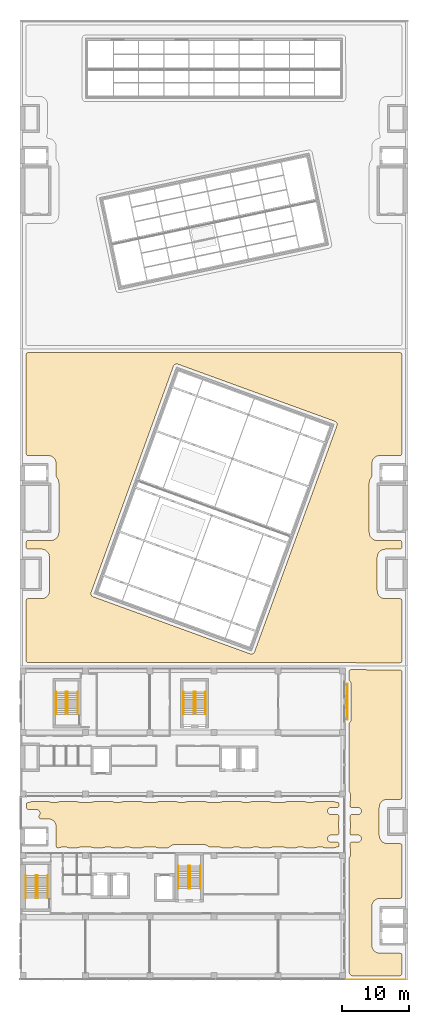
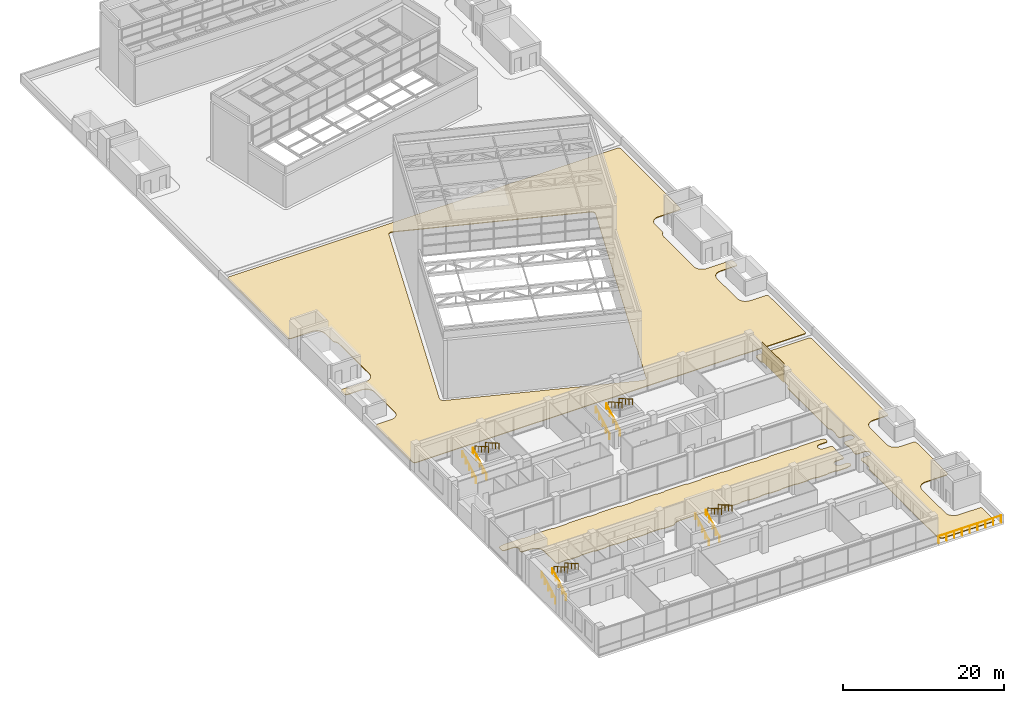
# One storey, part 66 of 72: 17 railings, 3 coverings, 1 shading device.
"""IFC4 building model written with IfcOpenShell, lengths in metres."""

import ifcopenshell
import ifcopenshell.guid

model = None  # the IFC model being written
_history = None  # IfcOwnerHistory: only IFC2X3 demands one
_inside = {}  # id of a spatial element -> (the spatial element, [elements in it])
_under = {}  # id of a project, library or spatial element -> (it, [spatial elements below it])
_declared = {}  # id of a project -> (the project, [libraries it declares])
_typed = {}  # id of a type object -> (the type object, [elements of that type])
_made_of = {}  # id of a material, layer set ... -> (it, [elements and type objects made of it])


def new_model(schema):
    """Start an empty IFC model of exactly this schema.

    Asked for "IFC4X3", IfcOpenShell would pick the latest addendum, in which some entities
    have other attributes; the version numbers below select the first issue.
    IFC2X3 requires an IfcOwnerHistory on every rooted entity: one is made here for all.
    """
    global model, _history
    if schema == "IFC4X3":
        model = ifcopenshell.file(schema_version=(4, 3, 0, 0))
    else:
        model = ifcopenshell.file(schema=schema)
    _inside.clear()
    _under.clear()
    _declared.clear()
    _typed.clear()
    _made_of.clear()
    _history = None
    if model.schema == "IFC2X3":
        org = make("IfcOrganization", Name="unknown")
        user = make(
            "IfcPersonAndOrganization",
            ThePerson=make("IfcPerson", FamilyName="unknown"),
            TheOrganization=org,
        )
        app = make(
            "IfcApplication",
            ApplicationDeveloper=org,
            Version="unknown",
            ApplicationFullName="unknown",
            ApplicationIdentifier="unknown",
        )
        _history = make(
            "IfcOwnerHistory",
            OwningUser=user,
            OwningApplication=app,
            ChangeAction="ADDED",
            CreationDate=0,
        )
    return model


def make(cls, **values):
    """One entity of the class cls with the attributes given. An attribute that is None is left unset."""
    return model.create_entity(
        cls, **{name: value for name, value in values.items() if value is not None}
    )


def rooted(cls, **values):
    """An entity with a GlobalId (a new one), such as an element, a storey or a relation."""
    return make(cls, GlobalId=ifcopenshell.guid.new(), OwnerHistory=_history, **values)


def si_unit(unit_type, name, prefix=None):
    """IfcSIUnit, for example si_unit("LENGTHUNIT", "METRE", prefix="MILLI")."""
    return make("IfcSIUnit", UnitType=unit_type, Prefix=prefix, Name=name)


def assignment(units):
    """IfcUnitAssignment: the units of a project."""
    return None if units is None else make("IfcUnitAssignment", Units=units)


def point(xyz):
    """IfcCartesianPoint."""
    return None if xyz is None else make("IfcCartesianPoint", Coordinates=xyz)


def direction(xyz):
    """IfcDirection."""
    return None if xyz is None else make("IfcDirection", DirectionRatios=xyz)


def frame(location, z_axis=None, x_axis=None):
    """IfcAxis2Placement3D, a coordinate frame: its origin and axes. An axis left out is left unset."""
    return make(
        "IfcAxis2Placement3D",
        Location=point(location),
        Axis=direction(z_axis),
        RefDirection=direction(x_axis),
    )


def frame_2d(location, x_axis=None):
    """IfcAxis2Placement2D, a coordinate frame in the plane: its origin and x axis."""
    return make(
        "IfcAxis2Placement2D", Location=point(location), RefDirection=direction(x_axis)
    )


def origin():
    """The frame at (0, 0, 0) with its axes left unset."""
    return frame((0.0, 0.0, 0.0))


def origin_2d():
    """The frame at (0, 0) in the plane with its x axis left unset."""
    return frame_2d((0.0, 0.0))


def place(relative_to, where):
    """IfcLocalPlacement: puts the frame where relative to a parent placement (None: the world)."""
    return make(
        "IfcLocalPlacement", PlacementRelTo=relative_to, RelativePlacement=where
    )


def context(
    kind, dimensions, precision=None, world=None, true_north=None, identifier=None
):
    """IfcGeometricRepresentationContext, for example the 3D "Model" context."""
    return make(
        "IfcGeometricRepresentationContext",
        ContextIdentifier=identifier,
        ContextType=kind,
        CoordinateSpaceDimension=dimensions,
        Precision=precision,
        WorldCoordinateSystem=world,
        TrueNorth=true_north,
    )


def subcontext(parent, identifier, kind, view, scale=None):
    """IfcGeometricRepresentationSubContext, for example "Body" below "Model"."""
    return make(
        "IfcGeometricRepresentationSubContext",
        ContextIdentifier=identifier,
        ContextType=kind,
        ParentContext=parent,
        TargetScale=scale,
        TargetView=view,
    )


def project(units=None, contexts=None):
    """IfcProject with its units and contexts."""
    return rooted(
        "IfcProject",
        Name="project",
        RepresentationContexts=contexts,
        UnitsInContext=assignment(units),
    )


def spatial(cls, under=None, at=None, **own):
    """A site, building, storey or space (cls), placed at a placement, below another one or the project."""
    s = rooted(cls, ObjectPlacement=at, **own)
    if under is not None:
        _under.setdefault(under.id(), (under, []))[1].append(s)
    return s


def polyline(points):
    """IfcPolyline through the points."""
    return make("IfcPolyline", Points=[point(p) for p in points])


def profile(cls, at=None, kind="AREA", **sizes):
    """A parametric profile (cls). Its sizes go by their IFC names, for example OverallWidth=200.0."""
    return make(cls, ProfileType=kind, Position=at, **sizes)


def rectangle(**sizes):
    """IfcRectangleProfileDef."""
    return profile("IfcRectangleProfileDef", **sizes)


def circle(**sizes):
    """IfcCircleProfileDef."""
    return profile("IfcCircleProfileDef", **sizes)


def outline(outer, holes=None, kind="AREA"):
    """IfcArbitraryClosedProfileDef: a profile drawn as a closed curve; with holes, ...WithVoids."""
    if holes is None:
        return make("IfcArbitraryClosedProfileDef", ProfileType=kind, OuterCurve=outer)
    return make(
        "IfcArbitraryProfileDefWithVoids",
        ProfileType=kind,
        OuterCurve=outer,
        InnerCurves=holes,
    )


def extrude(swept, where, along, depth):
    """IfcExtrudedAreaSolid: the profile swept, set in the frame where, extruded along a direction by depth."""
    return make(
        "IfcExtrudedAreaSolid",
        SweptArea=swept,
        Position=where,
        ExtrudedDirection=direction(along),
        Depth=depth,
    )


def shape(context_of_items, identifier, shape_type, items):
    """IfcShapeRepresentation: the items that make up one representation, for example the "Body"."""
    return make(
        "IfcShapeRepresentation",
        ContextOfItems=context_of_items,
        RepresentationIdentifier=identifier,
        RepresentationType=shape_type,
        Items=items,
    )


def material(Name=None, Category=None):
    """IfcMaterial."""
    return make("IfcMaterial", Name=Name, Category=Category)


def layer(
    of_material, thickness, ventilated=None, Name=None, Category=None, Priority=None
):
    """IfcMaterialLayer: one layer of a wall or slab, of a material (None: an air gap)."""
    return make(
        "IfcMaterialLayer",
        Material=of_material,
        LayerThickness=thickness,
        IsVentilated=ventilated,
        Name=Name,
        Category=Category,
        Priority=Priority,
    )


def layer_set(layers, Name=None):
    """IfcMaterialLayerSet."""
    return make("IfcMaterialLayerSet", MaterialLayers=layers, LayerSetName=Name)


def made_of(thing, what):
    """Note that an element or type object is made of a material, layer set ...; save() writes the relation."""
    if what is not None:
        _made_of.setdefault(what.id(), (what, []))[1].append(thing)
    return thing


def type_object(cls, material=None, **own):
    """A type object (cls), such as IfcWallType, which elements share."""
    return made_of(rooted(cls, **own), material)


def element(
    cls,
    number,
    at=None,
    inside=None,
    cuts=None,
    type_object=None,
    material=None,
    context=None,
    identifier="Body",
    shape_type=None,
    held_by="IfcProductDefinitionShape",
    body=None,
    shapes=None,
    **own,
):
    """One element of the class cls, such as IfcWall. Its Tag is "e" and its number.

    at: its placement. inside: the storey or other place that contains it. cuts: it is an
    opening in that element (IfcRelVoidsElement). A single representation is given by context,
    identifier, shape_type and body (its items); several are given by shapes. held_by: the class
    of the entity that holds the representations. save() writes the other relations.
    """
    e = rooted(cls, Tag="e%d" % number, ObjectPlacement=at, **own)
    if body is not None:
        shapes = [shape(context, identifier, shape_type, body)]
    if shapes is not None:
        e.Representation = make(held_by, Representations=shapes)
    if inside is not None:
        _inside.setdefault(inside.id(), (inside, []))[1].append(e)
    if cuts is not None:
        rooted(
            "IfcRelVoidsElement", RelatingBuildingElement=cuts, RelatedOpeningElement=e
        )
    if type_object is not None:
        _typed.setdefault(type_object.id(), (type_object, []))[1].append(e)
    return made_of(e, material)


def aggregate(whole, parts):
    """IfcRelAggregates: a whole, such as a stair, and the parts it consists of."""
    return rooted("IfcRelAggregates", RelatingObject=whole, RelatedObjects=parts)


def save(model, path):
    """Write the relations noted so far, then the file.

    IfcRelAggregates (storeys below a building ...), IfcRelContainedInSpatialStructure (elements
    in a storey), IfcRelDefinesByType, IfcRelAssociatesMaterial and IfcRelDeclares: one each for
    every whole, place, type object, material and project.
    """
    for whole, parts in _under.values():
        aggregate(whole, parts)
    for where, things in _inside.values():
        rooted(
            "IfcRelContainedInSpatialStructure",
            RelatedElements=things,
            RelatingStructure=where,
        )
    for kind, things in _typed.values():
        rooted("IfcRelDefinesByType", RelatedObjects=things, RelatingType=kind)
    for what, things in _made_of.values():
        rooted("IfcRelAssociatesMaterial", RelatedObjects=things, RelatingMaterial=what)
    for by, libraries in _declared.values():
        rooted("IfcRelDeclares", RelatingContext=by, RelatedDefinitions=libraries)
    model.write(path)


model = new_model("IFC4")

# Units and contexts
model_context = context("Model", 3, precision=1e-05, world=origin(), true_north=direction((0.0, 1.0)))
body_context = subcontext(model_context, "Body", "Model", "MODEL_VIEW")
ifc_project = project(units=[si_unit("LENGTHUNIT", "METRE"), si_unit("AREAUNIT", "SQUARE_METRE"), si_unit("VOLUMEUNIT", "CUBIC_METRE"), si_unit("PLANEANGLEUNIT", "RADIAN"), si_unit("MASSUNIT", "GRAM", prefix="KILO")], contexts=[model_context])

# Site, building, storey
site_placement = place(None, origin())
site = spatial("IfcSite", under=ifc_project, at=site_placement, CompositionType="ELEMENT")
building_placement = place(site_placement, origin())
building = spatial("IfcBuilding", under=site, at=building_placement, Name="Nzadi Deep Aquarium and Research Tower", CompositionType="ELEMENT")
storey_placement = place(building_placement, frame((0.0, 0.0, 31.89990234375)))
storey = spatial("IfcBuildingStorey", under=building, at=storey_placement, Name="L05", CompositionType="ELEMENT", Elevation=31.89990234375)

# Coverings
ifc_material_1 = material(Name="Extensive green roof substrate and sedum")
ifc_layer = layer(ifc_material_1, 0.10009765625)
ifc_layer_set = layer_set([ifc_layer], Name="Extensive green roof substrate and sedum")
covering_type = type_object("IfcCoveringType", Name="Extensive green roof 100 mm", PredefinedType="ROOFING", material=ifc_layer_set)
covering_1_placement = place(storey_placement, origin())
element("IfcCovering", 1, at=covering_1_placement, inside=storey, type_object=covering_type, Name="Extensive green roof", PredefinedType="ROOFING", context=body_context, shape_type="SweptSolid", body=[
    extrude(outline(polyline([(48.9755859375, 18.021240234375), (49.14404296875, 18.2509765625), (49.197998046875, 18.438232421875), (49.197998046875, 19.32177734375), (49.10009765625, 19.666748046875), (49.101318359375, 20.1474609375), (49.150634765625, 20.28466796875), (49.258544921875, 20.382568359375), (49.37060546875, 20.41650390625), (50.333740234375, 20.418212890625), (50.514404296875, 20.45361328125), (50.641357421875, 20.527099609375), (50.7412109375, 20.63427734375), (50.805908203125, 20.765869140625), (50.830078125, 20.921630859375), (50.810302734375, 21.10009765625), (50.74951171875, 21.2333984375), (50.641357421875, 21.352783203125), (50.514404296875, 21.426513671875), (50.333740234375, 21.4619140625), (49.37060546875, 21.46337890625), (49.2333984375, 21.5126953125), (49.135498046875, 21.62060546875), (49.101318359375, 21.732666015625), (49.10009765625, 22.21337890625), (49.197998046875, 22.558349609375), (49.199951171875, 23.396240234375), (49.101318359375, 23.75732421875), (49.11279296875, 24.3251953125), (49.18798828125, 24.4501953125), (49.341552734375, 24.5322265625), (50.333740234375, 24.5380859375), (50.528076171875, 24.5791015625), (50.652587890625, 24.656494140625), (50.74951171875, 24.7666015625), (50.810302734375, 24.89990234375), (50.830078125, 25.078369140625), (50.810302734375, 25.219970703125), (50.74951171875, 25.353515625), (50.652587890625, 25.463623046875), (50.528076171875, 25.540771484375), (50.333740234375, 25.581787109375), (49.341552734375, 25.587890625), (49.168212890625, 25.691650390625), (49.101318359375, 25.8525390625), (49.101318359375, 26.36279296875), (49.197998046875, 26.67822265625), (49.197998046875, 27.561767578125), (49.15869140625, 27.718017578125), (48.989990234375, 27.950927734375), (48.949951171875, 28.100341796875), (48.949951171875, 38.0458984375), (48.995849609375, 38.205078125), (49.227294921875, 38.4580078125), (49.2880859375, 38.658203125), (49.2900390625, 44.09619140625), (49.227294921875, 44.342041015625), (49.01171875, 44.572021484375), (48.955078125, 44.698486328125), (48.962890625, 45.967041015625), (49.059814453125, 46.11181640625), (49.25, 46.179931640625), (56.68701171875, 46.1669921875), (56.831787109375, 46.0703125), (56.89990234375, 45.8798828125), (56.898681640625, 27.070556640625), (56.81201171875, 26.887939453125), (56.62939453125, 26.801513671875), (54.70361328125, 26.800048828125), (54.35888671875, 26.75), (54.14111328125, 26.66162109375), (53.944580078125, 26.531982421875), (53.698486328125, 26.260498046875), (53.5498046875, 25.941162109375), (53.500244140625, 25.603759765625), (53.5, 21.40380859375), (53.55419921875, 21.044677734375), (53.70654296875, 20.727294921875), (53.944580078125, 20.468017578125), (54.247802734375, 20.288818359375), (54.47314453125, 20.221923828125), (54.6962890625, 20.2001953125), (56.62939453125, 20.198486328125), (56.790283203125, 20.1318359375), (56.877197265625, 20.014892578125), (56.89990234375, 19.89990234375), (56.898681640625, 12.2705078125), (56.81201171875, 12.087890625), (56.62939453125, 12.00146484375), (53.603759765625, 12.0), (53.373291015625, 11.97802734375), (53.134033203125, 11.905517578125), (52.927490234375, 11.79345703125), (52.74658203125, 11.64306640625), (52.598388671875, 11.46044921875), (52.449951171875, 11.14111328125), (52.400146484375, 10.8037109375), (52.39990234375, 5.003662109375), (52.4541015625, 4.644775390625), (52.54541015625, 4.427978515625), (52.66796875, 4.24462890625), (52.927490234375, 4.006591796875), (53.2587890625, 3.849853515625), (53.603759765625, 3.800048828125), (56.60009765625, 3.800048828125), (56.71484375, 3.777099609375), (56.81201171875, 3.712158203125), (56.877197265625, 3.61474609375), (56.89990234375, 3.5), (56.89990234375, 0.72998046875), (56.849365234375, 0.563232421875), (56.71484375, 0.452880859375), (56.60009765625, 0.429931640625), (49.464599609375, 0.431396484375), (49.303466796875, 0.49853515625), (48.970703125, 0.864501953125), (48.949951171875, 0.974365234375), (48.949951171875, 17.899658203125), (48.9755859375, 18.021240234375)])), origin(), (0.0, 0.0, 1.0), 0.10009765625),
])
covering_2_placement = place(storey_placement, origin())
element("IfcCovering", 2, at=covering_2_placement, inside=storey, type_object=covering_type, Name="Extensive green roof", PredefinedType="ROOFING", context=body_context, shape_type="SweptSolid", body=[
    extrude(outline(polyline([(1.22021484375, 26.37109375), (1.5166015625, 26.46240234375), (4.13818359375, 26.46240234375), (4.4833984375, 26.364501953125), (5.3212890625, 26.362548828125), (5.711669921875, 26.46240234375), (8.333251953125, 26.46240234375), (8.71630859375, 26.36279296875), (10.476318359375, 26.362548828125), (10.86669921875, 26.46240234375), (13.61328125, 26.46240234375), (13.958251953125, 26.364501953125), (14.79638671875, 26.362548828125), (15.186767578125, 26.46240234375), (17.933349609375, 26.46240234375), (18.31640625, 26.36279296875), (20.076416015625, 26.362548828125), (20.466796875, 26.46240234375), (23.21337890625, 26.46240234375), (23.558349609375, 26.364501953125), (24.396240234375, 26.362548828125), (24.78662109375, 26.46240234375), (27.533203125, 26.46240234375), (27.916259765625, 26.36279296875), (29.67626953125, 26.362548828125), (30.066650390625, 26.46240234375), (32.813232421875, 26.46240234375), (33.158203125, 26.364501953125), (33.996337890625, 26.362548828125), (34.38671875, 26.46240234375), (37.13330078125, 26.46240234375), (37.516357421875, 26.36279296875), (39.2763671875, 26.362548828125), (39.666748046875, 26.46240234375), (42.413330078125, 26.46240234375), (42.75830078125, 26.364501953125), (43.59619140625, 26.362548828125), (43.98681640625, 26.46240234375), (46.7626953125, 26.461181640625), (47.015380859375, 26.373779296875), (47.287109375, 26.349609375), (47.412109375, 26.274658203125), (47.49853515625, 26.091796875), (47.49853515625, 25.8525390625), (47.449462890625, 25.71533203125), (47.34130859375, 25.617431640625), (47.2294921875, 25.58349609375), (46.266357421875, 25.581787109375), (46.072021484375, 25.540771484375), (45.921875, 25.4404296875), (45.825927734375, 25.31103515625), (45.7734375, 25.13818359375), (45.778564453125, 24.94775390625), (45.888427734375, 24.71533203125), (46.117919921875, 24.56201171875), (46.273681640625, 24.5380859375), (47.2294921875, 24.53662109375), (47.36669921875, 24.4873046875), (47.464599609375, 24.37939453125), (47.49853515625, 24.267333984375), (47.5, 23.78662109375), (47.402099609375, 23.441650390625), (47.39990234375, 22.603759765625), (47.49853515625, 22.24267578125), (47.494140625, 21.70361328125), (47.412109375, 21.5498046875), (47.258544921875, 21.4677734375), (46.228271484375, 21.4599609375), (46.041015625, 21.406005859375), (45.921875, 21.320556640625), (45.825927734375, 21.19091796875), (45.778564453125, 21.05224609375), (45.7734375, 20.86181640625), (45.879150390625, 20.606689453125), (45.986328125, 20.506591796875), (46.117919921875, 20.44189453125), (46.273681640625, 20.41796875), (47.199951171875, 20.41796875), (47.34130859375, 20.382568359375), (47.431884765625, 20.308349609375), (47.487060546875, 20.205078125), (47.49853515625, 19.920654296875), (47.449462890625, 19.783203125), (47.34130859375, 19.685302734375), (47.015380859375, 19.638671875), (46.7333984375, 19.550048828125), (45.4072265625, 19.551513671875), (45.04638671875, 19.64990234375), (44.208251953125, 19.64794921875), (43.86328125, 19.550048828125), (42.50732421875, 19.551513671875), (42.146240234375, 19.64990234375), (41.308349609375, 19.64794921875), (40.96337890625, 19.550048828125), (39.63720703125, 19.551513671875), (39.2763671875, 19.64990234375), (37.516357421875, 19.64990234375), (37.13330078125, 19.550048828125), (35.807373046875, 19.551513671875), (35.4462890625, 19.64990234375), (34.6083984375, 19.64794921875), (34.26318359375, 19.550048828125), (32.936767578125, 19.550048828125), (32.591796875, 19.64794921875), (31.753662109375, 19.64990234375), (31.392578125, 19.551513671875), (30.066650390625, 19.550048828125), (29.7216796875, 19.64794921875), (28.162841796875, 19.655029296875), (27.65234375, 19.961181640625), (27.4267578125, 20.028076171875), (27.1962890625, 20.050048828125), (22.8896484375, 20.044677734375), (22.65869140625, 20.0), (22.44091796875, 19.91162109375), (22.24462890625, 19.781982421875), (22.0595703125, 19.60693359375), (21.8837890625, 19.550048828125), (20.437255859375, 19.551513671875), (20.076416015625, 19.64990234375), (18.31640625, 19.64990234375), (17.933349609375, 19.550048828125), (16.607421875, 19.551513671875), (16.246337890625, 19.64990234375), (15.408203125, 19.64794921875), (15.063232421875, 19.550048828125), (13.707275390625, 19.551513671875), (13.34619140625, 19.64990234375), (12.50830078125, 19.64794921875), (12.163330078125, 19.550048828125), (10.83740234375, 19.551513671875), (10.476318359375, 19.64990234375), (8.71630859375, 19.64990234375), (8.36279296875, 19.551513671875), (7.1201171875, 19.550048828125), (6.77490234375, 19.64794921875), (5.93701171875, 19.64990234375), (5.605224609375, 19.555908203125), (5.470703125, 19.551513671875), (5.287841796875, 19.637939453125), (5.201416015625, 19.820556640625), (5.19970703125, 22.70361328125), (5.150146484375, 23.041259765625), (5.054443359375, 23.27197265625), (4.922607421875, 23.466796875), (4.75537109375, 23.632080078125), (4.55908203125, 23.761474609375), (4.34130859375, 23.85009765625), (4.003662109375, 23.89990234375), (2.8603515625, 23.901611328125), (2.696533203125, 23.970947265625), (2.6103515625, 24.09228515625), (2.593017578125, 24.240234375), (2.76611328125, 24.575927734375), (2.78662109375, 24.828369140625), (2.701416015625, 25.0556640625), (2.51904296875, 25.216064453125), (2.293701171875, 25.271728515625), (1.0205078125, 25.2734375), (0.859619140625, 25.340087890625), (0.785400390625, 25.4306640625), (0.75146484375, 25.54248046875), (0.75146484375, 26.091796875), (0.785400390625, 26.203857421875), (0.935302734375, 26.339599609375), (1.22021484375, 26.37109375)])), origin(), (0.0, 0.0, 1.0), 0.10009765625),
])
covering_3_placement = place(storey_placement, origin())
element("IfcCovering", 3, at=covering_3_placement, inside=storey, type_object=covering_type, Name="Extensive green roof", PredefinedType="ROOFING", context=body_context, shape_type="SweptSolid", body=[
    extrude(outline(polyline([(56.60009765625, 47.219970703125), (0.970703125, 47.239013671875), (0.858642578125, 47.27294921875), (0.75048828125, 47.370849609375), (0.701416015625, 47.508056640625), (0.705810546875, 56.55859375), (0.809814453125, 56.73193359375), (0.970703125, 56.798583984375), (2.996337890625, 56.800048828125), (3.34130859375, 56.849853515625), (3.55908203125, 56.9384765625), (3.75537109375, 57.068115234375), (3.922607421875, 57.2333984375), (4.054443359375, 57.427978515625), (4.150146484375, 57.65869140625), (4.19970703125, 57.996337890625), (4.19970703125, 63.003662109375), (4.145751953125, 63.355224609375), (3.993408203125, 63.672607421875), (3.75537109375, 63.931884765625), (3.452392578125, 64.111083984375), (3.1103515625, 64.194580078125), (1.0, 64.199951171875), (0.833251953125, 64.25048828125), (0.7353515625, 64.358642578125), (0.701416015625, 64.470703125), (0.705810546875, 65.258544921875), (0.809814453125, 65.431884765625), (0.970703125, 65.49853515625), (4.396240234375, 65.5), (4.626708984375, 65.52197265625), (4.852294921875, 65.5888671875), (5.072509765625, 65.70654296875), (5.32275390625, 65.933349609375), (5.45458984375, 66.1279296875), (5.550048828125, 66.35888671875), (5.60009765625, 66.70361328125), (5.60009765625, 74.09619140625), (5.577880859375, 74.326904296875), (5.510986328125, 74.55224609375), (5.401611328125, 74.760498046875), (5.24462890625, 74.96044921875), (5.201416015625, 75.090087890625), (5.199951171875, 76.996337890625), (5.17529296875, 77.2412109375), (5.054443359375, 77.572021484375), (4.931884765625, 77.75537109375), (4.7666015625, 77.922607421875), (4.452392578125, 78.111083984375), (4.1103515625, 78.194580078125), (0.970703125, 78.201416015625), (0.809814453125, 78.26806640625), (0.705810546875, 78.44140625), (0.699951171875, 93.280029296875), (0.722900390625, 93.394775390625), (0.809814453125, 93.511962890625), (1.0, 93.580078125), (56.60009765625, 93.580078125), (56.71484375, 93.55712890625), (56.831787109375, 93.47021484375), (56.89990234375, 93.280029296875), (56.894287109375, 78.44140625), (56.790283203125, 78.26806640625), (56.62939453125, 78.201416015625), (53.48974609375, 78.194580078125), (53.147705078125, 78.111083984375), (52.833251953125, 77.922607421875), (52.598388671875, 77.660400390625), (52.489013671875, 77.452392578125), (52.4248046875, 77.2412109375), (52.39990234375, 76.996337890625), (52.398681640625, 75.090087890625), (52.35546875, 74.96044921875), (52.198486328125, 74.760498046875), (52.0888671875, 74.55224609375), (52.02197265625, 74.326904296875), (52.0, 74.09619140625), (52.0, 66.70361328125), (52.0498046875, 66.35888671875), (52.1455078125, 66.1279296875), (52.27734375, 65.933349609375), (52.52734375, 65.70654296875), (52.747802734375, 65.5888671875), (52.97314453125, 65.52197265625), (53.20361328125, 65.5), (56.62939453125, 65.49853515625), (56.790283203125, 65.431884765625), (56.894287109375, 65.258544921875), (56.898681640625, 64.470703125), (56.849365234375, 64.333251953125), (56.7666015625, 64.25048828125), (56.60009765625, 64.199951171875), (54.40380859375, 64.199951171875), (54.044677734375, 64.145751953125), (53.841064453125, 64.0615234375), (53.64453125, 63.931884765625), (53.406494140625, 63.672607421875), (53.254150390625, 63.355224609375), (53.199951171875, 62.996337890625), (53.2001953125, 57.996337890625), (53.25, 57.65869140625), (53.345458984375, 57.427978515625), (53.477294921875, 57.2333984375), (53.64453125, 57.068115234375), (53.841064453125, 56.9384765625), (54.15869140625, 56.82470703125), (54.40380859375, 56.800048828125), (56.62939453125, 56.798583984375), (56.81201171875, 56.712158203125), (56.894287109375, 56.55859375), (56.89990234375, 47.52001953125), (56.864501953125, 47.378662109375), (56.790283203125, 47.2880859375), (56.60009765625, 47.219970703125)]), holes=[polyline([(10.68798828125, 57.107177734375), (34.21533203125, 48.541748046875), (34.453125, 48.5146484375), (34.67919921875, 48.60302734375), (34.78515625, 48.70458984375), (34.86083984375, 48.8427734375), (47.171142578125, 82.664794921875), (47.1982421875, 82.902587890625), (47.10986328125, 83.128662109375), (47.00830078125, 83.234619140625), (46.8701171875, 83.310302734375), (23.384765625, 91.8583984375), (23.14697265625, 91.885498046875), (22.920654296875, 91.797119140625), (22.81494140625, 91.6953125), (22.739013671875, 91.557373046875), (10.426513671875, 57.728271484375), (10.410400390625, 57.44921875), (10.530517578125, 57.2216796875), (10.68798828125, 57.107177734375)])]), origin(), (0.0, 0.0, 1.0), 0.10009765625),
])

# Railings
ifc_material_2 = material(Name="Stainless steel 1.4301", Category="steel")
railing_type_1 = type_object("IfcRailingType", Name="Guard 1100 stainless steel", PredefinedType="GUARDRAIL", material=ifc_material_2)
railing_placement = place(storey_placement, frame((48.449951171875, -0.169921875, 0.0)))
element("IfcRailing", 4, at=railing_placement, inside=storey, type_object=railing_type_1, Name="Guard", PredefinedType="GUARDRAIL", context=body_context, shape_type="SweptSolid", body=[
    extrude(circle(Radius=0.02392578125, at=origin_2d()), frame((0.0, 0.0, 1.076171875), z_axis=(1.0, 0.0, 0.0), x_axis=(0.0, 1.0, 0.0)), (0.0, 0.0, 1.0), 8.949951171875),
    extrude(circle(Radius=0.02099609375, at=origin_2d()), origin(), (0.0, 0.0, 1.0), 1.052001953125),
    extrude(circle(Radius=0.02099609375, at=origin_2d()), frame((1.11865234375, 0.0, 0.0)), (0.0, 0.0, 1.0), 1.052001953125),
    extrude(circle(Radius=0.02099609375, at=origin_2d()), frame((2.237548828125, 0.0, 0.0)), (0.0, 0.0, 1.0), 1.052001953125),
    extrude(circle(Radius=0.02099609375, at=origin_2d()), frame((3.356201171875, 0.0, 0.0)), (0.0, 0.0, 1.0), 1.052001953125),
    extrude(circle(Radius=0.02099609375, at=origin_2d()), frame((4.47509765625, 0.0, 0.0)), (0.0, 0.0, 1.0), 1.052001953125),
    extrude(circle(Radius=0.02099609375, at=origin_2d()), frame((5.59375, 0.0, 0.0)), (0.0, 0.0, 1.0), 1.052001953125),
    extrude(circle(Radius=0.02099609375, at=origin_2d()), frame((6.71240234375, 0.0, 0.0)), (0.0, 0.0, 1.0), 1.052001953125),
    extrude(circle(Radius=0.02099609375, at=origin_2d()), frame((7.831298828125, 0.0, 0.0)), (0.0, 0.0, 1.0), 1.052001953125),
    extrude(circle(Radius=0.02099609375, at=origin_2d()), frame((8.949951171875, 0.0, 0.0)), (0.0, 0.0, 1.0), 1.052001953125),
])
ifc_material_3 = material(Name="Stainless steel 1.4301", Category="steel")
railing_type_2 = type_object("IfcRailingType", Name="HANDRAIL 900", PredefinedType="HANDRAIL", material=ifc_material_3)
for number, where, name in (
    (5, (0.659912109375, 12.070068359375, 0.16162109375), "HR-ST-Z1-SW-L05-F1"),
    (6, (2.1650390625, 12.070068359375, 0.16162109375), "HR-ST-Z1-SW-L05-F1W"),
):
    element("IfcRailing", number, at=place(storey_placement, frame(where)), inside=storey, type_object=railing_type_2, Name=name, PredefinedType="HANDRAIL", context=body_context, shape_type="SweptSolid", body=[
        extrude(circle(Radius=0.02392578125, at=origin_2d()), frame((0.0, 0.0, 0.8759765625), z_axis=(0.0, 0.866175107563, 0.499740615757), x_axis=(-1.0, 0.0, 0.0)), (0.0, 0.0, 1.0), 3.87890625),
        extrude(circle(Radius=0.02099609375, at=origin_2d()), origin(), (0.0, 0.0, 1.0), 0.851806640625),
        extrude(circle(Radius=0.02099609375, at=origin_2d()), frame((0.0, 0.83984375, 0.484619140625)), (0.0, 0.0, 1.0), 0.851806640625),
        extrude(circle(Radius=0.02099609375, at=origin_2d()), frame((0.0, 1.679931640625, 0.96923828125)), (0.0, 0.0, 1.0), 0.851806640625),
        extrude(circle(Radius=0.02099609375, at=origin_2d()), frame((0.0, 2.52001953125, 1.453857421875)), (0.0, 0.0, 1.0), 0.851806640625),
        extrude(circle(Radius=0.02099609375, at=origin_2d()), frame((0.0, 3.35986328125, 1.9384765625)), (0.0, 0.0, 1.0), 0.851806640625),
    ])
for number, where, name in (
    (7, (3.93994140625, 15.429931640625, 2.26171875), "HR-ST-Z1-SW-L05-F2"),
    (8, (2.43505859375, 15.429931640625, 2.26171875), "HR-ST-Z1-SW-L05-F2W"),
):
    element("IfcRailing", number, at=place(storey_placement, frame(where)), inside=storey, type_object=railing_type_2, Name=name, PredefinedType="HANDRAIL", context=body_context, shape_type="SweptSolid", body=[
        extrude(circle(Radius=0.02392578125, at=origin_2d()), frame((0.0, 0.0, 0.8759765625), z_axis=(0.0, -0.866175107563, 0.499740615757), x_axis=(1.0, 0.0, 0.0)), (0.0, 0.0, 1.0), 3.87890625),
        extrude(circle(Radius=0.02099609375, at=origin_2d()), origin(), (0.0, 0.0, 1.0), 0.851806640625),
        extrude(circle(Radius=0.02099609375, at=origin_2d()), frame((0.0, -0.83984375, 0.484619140625)), (0.0, 0.0, 1.0), 0.851806640625),
        extrude(circle(Radius=0.02099609375, at=origin_2d()), frame((0.0, -1.679931640625, 0.96923828125)), (0.0, 0.0, 1.0), 0.851806640625),
        extrude(circle(Radius=0.02099609375, at=origin_2d()), frame((0.0, -2.52001953125, 1.453857421875)), (0.0, 0.0, 1.0), 0.851806640625),
        extrude(circle(Radius=0.02099609375, at=origin_2d()), frame((0.0, -3.35986328125, 1.9384765625)), (0.0, 0.0, 1.0), 0.851806640625),
    ])
for number, where, name in (
    (9, (23.4599609375, 13.469970703125, 0.16162109375), "HR-ST-Z1-SE-L05-F1"),
    (10, (24.965087890625, 13.469970703125, 0.16162109375), "HR-ST-Z1-SE-L05-F1W"),
):
    element("IfcRailing", number, at=place(storey_placement, frame(where)), inside=storey, type_object=railing_type_2, Name=name, PredefinedType="HANDRAIL", context=body_context, shape_type="SweptSolid", body=[
        extrude(circle(Radius=0.02392578125, at=origin_2d()), frame((0.0, 0.0, 0.8759765625), z_axis=(0.0, 0.866190824863, 0.499713372768), x_axis=(-1.0, 0.0, 0.0)), (0.0, 0.0, 1.0), 3.879150390625),
        extrude(circle(Radius=0.02099609375, at=origin_2d()), origin(), (0.0, 0.0, 1.0), 0.851806640625),
        extrude(circle(Radius=0.02099609375, at=origin_2d()), frame((0.0, 0.840087890625, 0.484619140625)), (0.0, 0.0, 1.0), 0.851806640625),
        extrude(circle(Radius=0.02099609375, at=origin_2d()), frame((0.0, 1.68017578125, 0.96923828125)), (0.0, 0.0, 1.0), 0.851806640625),
        extrude(circle(Radius=0.02099609375, at=origin_2d()), frame((0.0, 2.52001953125, 1.453857421875)), (0.0, 0.0, 1.0), 0.851806640625),
        extrude(circle(Radius=0.02099609375, at=origin_2d()), frame((0.0, 3.360107421875, 1.9384765625)), (0.0, 0.0, 1.0), 0.851806640625),
    ])
for number, where, name in (
    (11, (26.739990234375, 16.830078125, 2.26171875), "HR-ST-Z1-SE-L05-F2"),
    (12, (25.235107421875, 16.830078125, 2.26171875), "HR-ST-Z1-SE-L05-F2W"),
):
    element("IfcRailing", number, at=place(storey_placement, frame(where)), inside=storey, type_object=railing_type_2, Name=name, PredefinedType="HANDRAIL", context=body_context, shape_type="SweptSolid", body=[
        extrude(circle(Radius=0.02392578125, at=origin_2d()), frame((0.0, 0.0, 0.8759765625), z_axis=(0.0, -0.866190824863, 0.499713372768), x_axis=(1.0, 0.0, 0.0)), (0.0, 0.0, 1.0), 3.879150390625),
        extrude(circle(Radius=0.02099609375, at=origin_2d()), origin(), (0.0, 0.0, 1.0), 0.851806640625),
        extrude(circle(Radius=0.02099609375, at=origin_2d()), frame((0.0, -0.840087890625, 0.484619140625)), (0.0, 0.0, 1.0), 0.851806640625),
        extrude(circle(Radius=0.02099609375, at=origin_2d()), frame((0.0, -1.68017578125, 0.96923828125)), (0.0, 0.0, 1.0), 0.851806640625),
        extrude(circle(Radius=0.02099609375, at=origin_2d()), frame((0.0, -2.52001953125, 1.453857421875)), (0.0, 0.0, 1.0), 0.851806640625),
        extrude(circle(Radius=0.02099609375, at=origin_2d()), frame((0.0, -3.360107421875, 1.9384765625)), (0.0, 0.0, 1.0), 0.851806640625),
    ])
for number, where, name in (
    (13, (5.159912109375, 39.52001953125, 0.16162109375), "HR-ST-Z1-NW-L05-F1"),
    (14, (6.6650390625, 39.52001953125, 0.16162109375), "HR-ST-Z1-NW-L05-F1W"),
):
    element("IfcRailing", number, at=place(storey_placement, frame(where)), inside=storey, type_object=railing_type_2, Name=name, PredefinedType="HANDRAIL", context=body_context, shape_type="SweptSolid", body=[
        extrude(circle(Radius=0.02392578125, at=origin_2d()), frame((0.0, 0.0, 0.8759765625), z_axis=(0.0, 0.866175107563, 0.499740615757), x_axis=(-1.0, 0.0, 0.0)), (0.0, 0.0, 1.0), 3.87890625),
        extrude(circle(Radius=0.02099609375, at=origin_2d()), origin(), (0.0, 0.0, 1.0), 0.851806640625),
        extrude(circle(Radius=0.02099609375, at=origin_2d()), frame((0.0, 0.83984375, 0.484619140625)), (0.0, 0.0, 1.0), 0.851806640625),
        extrude(circle(Radius=0.02099609375, at=origin_2d()), frame((0.0, 1.679931640625, 0.96923828125)), (0.0, 0.0, 1.0), 0.851806640625),
        extrude(circle(Radius=0.02099609375, at=origin_2d()), frame((0.0, 2.52001953125, 1.453857421875)), (0.0, 0.0, 1.0), 0.851806640625),
        extrude(circle(Radius=0.02099609375, at=origin_2d()), frame((0.0, 3.35986328125, 1.9384765625)), (0.0, 0.0, 1.0), 0.851806640625),
    ])
for number, where, name in (
    (15, (8.43994140625, 42.8798828125, 2.26171875), "HR-ST-Z1-NW-L05-F2"),
    (16, (6.93505859375, 42.8798828125, 2.26171875), "HR-ST-Z1-NW-L05-F2W"),
):
    element("IfcRailing", number, at=place(storey_placement, frame(where)), inside=storey, type_object=railing_type_2, Name=name, PredefinedType="HANDRAIL", context=body_context, shape_type="SweptSolid", body=[
        extrude(circle(Radius=0.02392578125, at=origin_2d()), frame((0.0, 0.0, 0.8759765625), z_axis=(0.0, -0.866175107563, 0.499740615757), x_axis=(1.0, 0.0, 0.0)), (0.0, 0.0, 1.0), 3.87890625),
        extrude(circle(Radius=0.02099609375, at=origin_2d()), origin(), (0.0, 0.0, 1.0), 0.851806640625),
        extrude(circle(Radius=0.02099609375, at=origin_2d()), frame((0.0, -0.83984375, 0.484619140625)), (0.0, 0.0, 1.0), 0.851806640625),
        extrude(circle(Radius=0.02099609375, at=origin_2d()), frame((0.0, -1.679931640625, 0.96923828125)), (0.0, 0.0, 1.0), 0.851806640625),
        extrude(circle(Radius=0.02099609375, at=origin_2d()), frame((0.0, -2.52001953125, 1.453857421875)), (0.0, 0.0, 1.0), 0.851806640625),
        extrude(circle(Radius=0.02099609375, at=origin_2d()), frame((0.0, -3.35986328125, 1.9384765625)), (0.0, 0.0, 1.0), 0.851806640625),
    ])
for number, where, name in (
    (17, (24.260009765625, 39.52001953125, 0.16162109375), "HR-ST-Z1-NE-L05-F1"),
    (18, (25.764892578125, 39.52001953125, 0.16162109375), "HR-ST-Z1-NE-L05-F1W"),
):
    element("IfcRailing", number, at=place(storey_placement, frame(where)), inside=storey, type_object=railing_type_2, Name=name, PredefinedType="HANDRAIL", context=body_context, shape_type="SweptSolid", body=[
        extrude(circle(Radius=0.02392578125, at=origin_2d()), frame((0.0, 0.0, 0.8759765625), z_axis=(0.0, 0.866175107563, 0.499740615757), x_axis=(-1.0, 0.0, 0.0)), (0.0, 0.0, 1.0), 3.87890625),
        extrude(circle(Radius=0.02099609375, at=origin_2d()), origin(), (0.0, 0.0, 1.0), 0.851806640625),
        extrude(circle(Radius=0.02099609375, at=origin_2d()), frame((0.0, 0.83984375, 0.484619140625)), (0.0, 0.0, 1.0), 0.851806640625),
        extrude(circle(Radius=0.02099609375, at=origin_2d()), frame((0.0, 1.679931640625, 0.96923828125)), (0.0, 0.0, 1.0), 0.851806640625),
        extrude(circle(Radius=0.02099609375, at=origin_2d()), frame((0.0, 2.52001953125, 1.453857421875)), (0.0, 0.0, 1.0), 0.851806640625),
        extrude(circle(Radius=0.02099609375, at=origin_2d()), frame((0.0, 3.35986328125, 1.9384765625)), (0.0, 0.0, 1.0), 0.851806640625),
    ])
for number, where, name in (
    (19, (27.5400390625, 42.8798828125, 2.26171875), "HR-ST-Z1-NE-L05-F2"),
    (20, (26.034912109375, 42.8798828125, 2.26171875), "HR-ST-Z1-NE-L05-F2W"),
):
    element("IfcRailing", number, at=place(storey_placement, frame(where)), inside=storey, type_object=railing_type_2, Name=name, PredefinedType="HANDRAIL", context=body_context, shape_type="SweptSolid", body=[
        extrude(circle(Radius=0.02392578125, at=origin_2d()), frame((0.0, 0.0, 0.8759765625), z_axis=(0.0, -0.866175107563, 0.499740615757), x_axis=(1.0, 0.0, 0.0)), (0.0, 0.0, 1.0), 3.87890625),
        extrude(circle(Radius=0.02099609375, at=origin_2d()), origin(), (0.0, 0.0, 1.0), 0.851806640625),
        extrude(circle(Radius=0.02099609375, at=origin_2d()), frame((0.0, -0.83984375, 0.484619140625)), (0.0, 0.0, 1.0), 0.851806640625),
        extrude(circle(Radius=0.02099609375, at=origin_2d()), frame((0.0, -1.679931640625, 0.96923828125)), (0.0, 0.0, 1.0), 0.851806640625),
        extrude(circle(Radius=0.02099609375, at=origin_2d()), frame((0.0, -2.52001953125, 1.453857421875)), (0.0, 0.0, 1.0), 0.851806640625),
        extrude(circle(Radius=0.02099609375, at=origin_2d()), frame((0.0, -3.35986328125, 1.9384765625)), (0.0, 0.0, 1.0), 0.851806640625),
    ])

# Shading device
ifc_material_4 = material(Name="Aluminium perforated sheet", Category="aluminium")
shading_device_type = type_object("IfcShadingDeviceType", Name="Perforated screen 40 mm", PredefinedType="USERDEFINED", material=ifc_material_4)
shading_device_placement = place(storey_placement, frame((48.77001953125, 41.39990234375, 0.60009765625), z_axis=(0.0, 0.0, 1.0), x_axis=(1.0, 0.0, 0.0)))
element("IfcShadingDevice", 21, at=shading_device_placement, inside=storey, type_object=shading_device_type, Name="Perforated screen L05 BE", ObjectType="Screen", PredefinedType="USERDEFINED", context=body_context, shape_type="SweptSolid", body=[
    extrude(rectangle(XDim=0.0400390625, YDim=5.39990234375, at=origin_2d()), origin(), (0.0, 0.0, 1.0), 2.89990234375),
])

save(model, "model.ifc")
